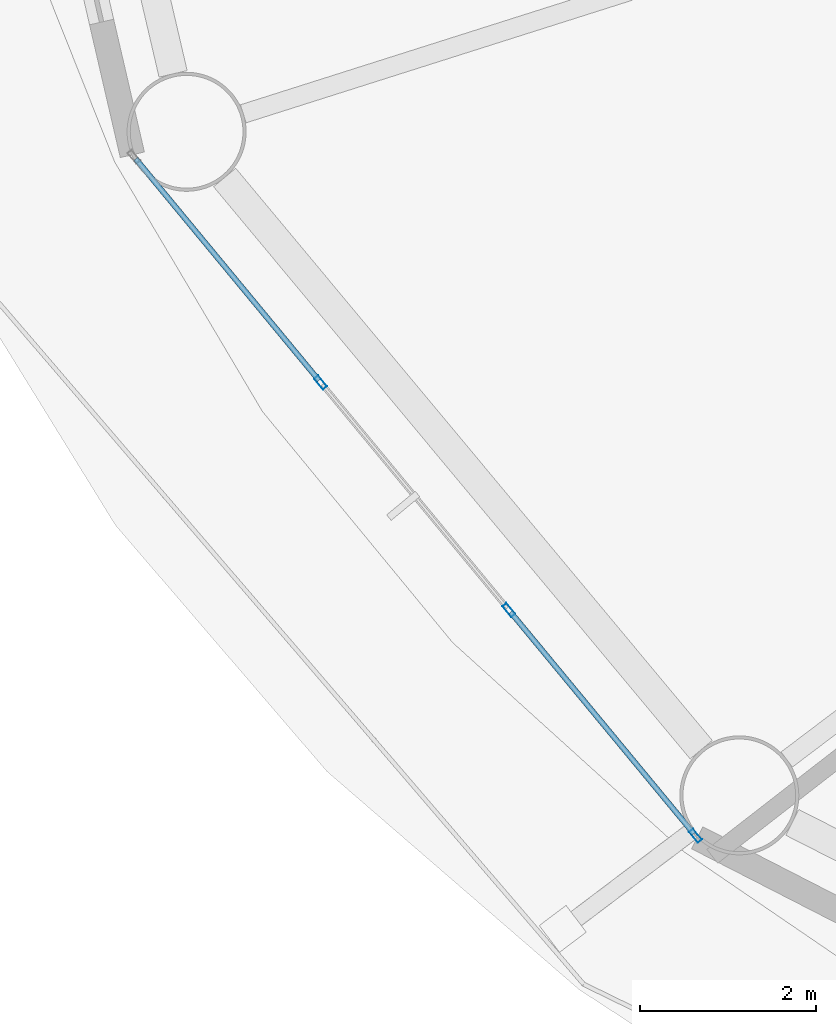
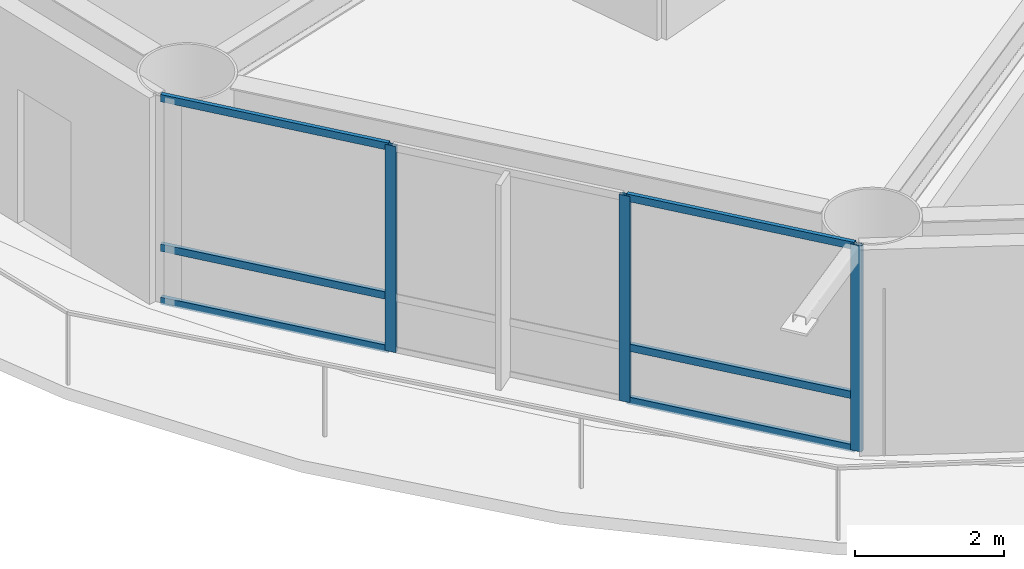
# One storey, part 2 of 26: 9 members, 1 element without a shape of its own.
"""IFC4 building model written with IfcOpenShell, lengths in metres."""

from ifc_helpers import new_model, si_unit, direction, frame, origin, origin_2d, place, context, subcontext, project, spatial, hollow_rectangle, extrude, material, layer, layer_set, material_profile, profile_set, type_object, element, aggregate, save


model = new_model("IFC4")

# Units and contexts
model_context = context("Model", 3, precision=1e-05, world=origin(), true_north=direction((0.0, 1.0)))
body_context = subcontext(model_context, "Body", "Model", "MODEL_VIEW")
ifc_project = project(units=[si_unit("LENGTHUNIT", "METRE"), si_unit("AREAUNIT", "SQUARE_METRE"), si_unit("VOLUMEUNIT", "CUBIC_METRE"), si_unit("PLANEANGLEUNIT", "RADIAN"), si_unit("MASSUNIT", "GRAM", prefix="KILO")], contexts=[model_context])

# Site, building, storey
site_placement = place(None, origin())
site = spatial("IfcSite", under=ifc_project, at=site_placement, CompositionType="ELEMENT")
building_placement = place(site_placement, origin())
building = spatial("IfcBuilding", under=site, at=building_placement, Name="Sarneth Arch Tower", CompositionType="ELEMENT")
storey_placement = place(building_placement, frame((0.0, 0.0, 57.0)))
storey = spatial("IfcBuildingStorey", under=building, at=storey_placement, Name="L13", CompositionType="ELEMENT", Elevation=57.0)

# Curtain wall, members
ifc_material_1 = material(Name="Anodised aluminium Type AA25 and solar-control low-e laminated IGU", Category="aluminium")
ifc_layer = layer(ifc_material_1, 0.159912109375)
ifc_layer_set = layer_set([ifc_layer], Name="Anodised aluminium Type AA25 and solar-control low-e laminated IGU")
curtain_wall_type = type_object("IfcCurtainWallType", Name="CW-HOTEL-LOW", PredefinedType="NOTDEFINED", material=ifc_layer_set)
curtain_wall_placement = place(storey_placement, origin())
curtain_wall = element("IfcCurtainWall", 1, at=curtain_wall_placement, inside=storey, type_object=curtain_wall_type, Name="L13 Unitised curtain wall facet 10", PredefinedType="NOTDEFINED")
ifc_material_2 = material(Name="Anodised Aluminium 6063-T6", Category="aluminium")
ifc_material_profile_1 = material_profile(ifc_material_2, hollow_rectangle(XDim=0.06005859375, YDim=0.159912109375, WallThickness=0.00390625, at=origin_2d()), Name="AL-MULL-160x60x4")
ifc_profile_set_1 = profile_set([ifc_material_profile_1], Name="Anodised Aluminium 6063-T6")
member_type_1 = type_object("IfcMemberType", Name="CW-MULLION", PredefinedType="MULLION", material=ifc_profile_set_1)
member_1_placement = place(storey_placement, frame((21.5546875, 30.279052734375, 0.0), z_axis=(0.0, 0.0, 1.0), x_axis=(0.770622960278, 0.637291340827, 0.0)))
member_1 = element("IfcMember", 2, at=member_1_placement, type_object=member_type_1, Name="CW-SYS-3 mullion 2", PredefinedType="MULLION", context=body_context, shape_type="SweptSolid", body=[
    extrude(hollow_rectangle(XDim=0.06005859375, YDim=0.159912109375, WallThickness=0.00390625, at=origin_2d()), origin(), (0.0, 0.0, 1.0), 3.3798828125),
])
member_2_placement = place(storey_placement, frame((23.690185546875, 27.69677734375, 0.0), z_axis=(0.0, 0.0, 1.0), x_axis=(0.770622960278, 0.637291340827, 0.0)))
member_2 = element("IfcMember", 3, at=member_2_placement, type_object=member_type_1, Name="CW-SYS-3 mullion 3", PredefinedType="MULLION", context=body_context, shape_type="SweptSolid", body=[
    extrude(hollow_rectangle(XDim=0.06005859375, YDim=0.159912109375, WallThickness=0.00390625, at=origin_2d()), origin(), (0.0, 0.0, 1.0), 3.3798828125),
])
member_3_placement = place(storey_placement, frame((25.806640625, 25.137451171875, 0.0), z_axis=(0.0, 0.0, 1.0), x_axis=(0.770622960278, 0.637291340827, 0.0)))
member_3 = element("IfcMember", 4, at=member_3_placement, type_object=member_type_1, Name="CW-SYS-3 mullion 4", PredefinedType="MULLION", context=body_context, shape_type="SweptSolid", body=[
    extrude(hollow_rectangle(XDim=0.06005859375, YDim=0.159912109375, WallThickness=0.00390625, at=origin_2d()), origin(), (0.0, 0.0, 1.0), 3.3798828125),
])
ifc_material_3 = material(Name="Anodised Aluminium 6063-T6", Category="aluminium")
ifc_material_profile_2 = material_profile(ifc_material_3, hollow_rectangle(XDim=0.06005859375, YDim=0.1201171875, WallThickness=0.00390625, at=origin_2d()), Name="AL-TRAN-120x60x4")
ifc_profile_set_2 = profile_set([ifc_material_profile_2], Name="Anodised Aluminium 6063-T6")
member_type_2 = type_object("IfcMemberType", Name="CW-TRANSOM", PredefinedType="USERDEFINED", material=ifc_profile_set_2)
member_4_placement = place(storey_placement, frame((19.457275390625, 32.815185546875, 0.030029296875), z_axis=(0.63733019572, -0.77059082633, 0.0), x_axis=(0.77059082633, 0.63733019572, 0.0)))
member_4 = element("IfcMember", 5, at=member_4_placement, type_object=member_type_2, Name="CW-SYS-3 transom 1.1", ObjectType="TRANSOM", PredefinedType="USERDEFINED", context=body_context, shape_type="SweptSolid", body=[
    extrude(hollow_rectangle(XDim=0.06005859375, YDim=0.1201171875, WallThickness=0.00390625, at=origin_2d()), origin(), (0.0, 0.0, 1.0), 3.260986328125),
])
member_5_placement = place(storey_placement, frame((19.457275390625, 32.815185546875, 0.89990234375), z_axis=(0.63733019572, -0.77059082633, 0.0), x_axis=(0.77059082633, 0.63733019572, 0.0)))
member_5 = element("IfcMember", 6, at=member_5_placement, type_object=member_type_2, Name="CW-SYS-3 transom 1.2", ObjectType="TRANSOM", PredefinedType="USERDEFINED", context=body_context, shape_type="SweptSolid", body=[
    extrude(hollow_rectangle(XDim=0.06005859375, YDim=0.1201171875, WallThickness=0.00390625, at=origin_2d()), origin(), (0.0, 0.0, 1.0), 3.260986328125),
])
member_6_placement = place(storey_placement, frame((19.457275390625, 32.815185546875, 3.35009765625), z_axis=(0.63733019572, -0.77059082633, 0.0), x_axis=(0.77059082633, 0.63733019572, 0.0)))
member_6 = element("IfcMember", 7, at=member_6_placement, type_object=member_type_2, Name="CW-SYS-3 transom 1.3", ObjectType="TRANSOM", PredefinedType="USERDEFINED", context=body_context, shape_type="SweptSolid", body=[
    extrude(hollow_rectangle(XDim=0.06005859375, YDim=0.1201171875, WallThickness=0.00390625, at=origin_2d()), origin(), (0.0, 0.0, 1.0), 3.260986328125),
])
member_7_placement = place(storey_placement, frame((23.70947265625, 27.673583984375, 0.030029296875), z_axis=(0.637285736625, -0.770627594817, 0.0), x_axis=(0.770627594817, 0.637285736625, 0.0)))
member_7 = element("IfcMember", 8, at=member_7_placement, type_object=member_type_2, Name="CW-SYS-3 transom 3.1", ObjectType="TRANSOM", PredefinedType="USERDEFINED", context=body_context, shape_type="SweptSolid", body=[
    extrude(hollow_rectangle(XDim=0.06005859375, YDim=0.1201171875, WallThickness=0.00390625, at=origin_2d()), origin(), (0.0, 0.0, 1.0), 3.260986328125),
])
member_8_placement = place(storey_placement, frame((23.70947265625, 27.673583984375, 0.89990234375), z_axis=(0.637285736625, -0.770627594817, 0.0), x_axis=(0.770627594817, 0.637285736625, 0.0)))
member_8 = element("IfcMember", 9, at=member_8_placement, type_object=member_type_2, Name="CW-SYS-3 transom 3.2", ObjectType="TRANSOM", PredefinedType="USERDEFINED", context=body_context, shape_type="SweptSolid", body=[
    extrude(hollow_rectangle(XDim=0.06005859375, YDim=0.1201171875, WallThickness=0.00390625, at=origin_2d()), origin(), (0.0, 0.0, 1.0), 3.260986328125),
])
member_9_placement = place(storey_placement, frame((23.70947265625, 27.673583984375, 3.35009765625), z_axis=(0.637285736625, -0.770627594817, 0.0), x_axis=(0.770627594817, 0.637285736625, 0.0)))
member_9 = element("IfcMember", 10, at=member_9_placement, type_object=member_type_2, Name="CW-SYS-3 transom 3.3", ObjectType="TRANSOM", PredefinedType="USERDEFINED", context=body_context, shape_type="SweptSolid", body=[
    extrude(hollow_rectangle(XDim=0.06005859375, YDim=0.1201171875, WallThickness=0.00390625, at=origin_2d()), origin(), (0.0, 0.0, 1.0), 3.260986328125),
])
aggregate(curtain_wall, [member_1, member_2, member_3, member_4, member_5, member_6, member_7, member_8, member_9])

save(model, "model.ifc")
